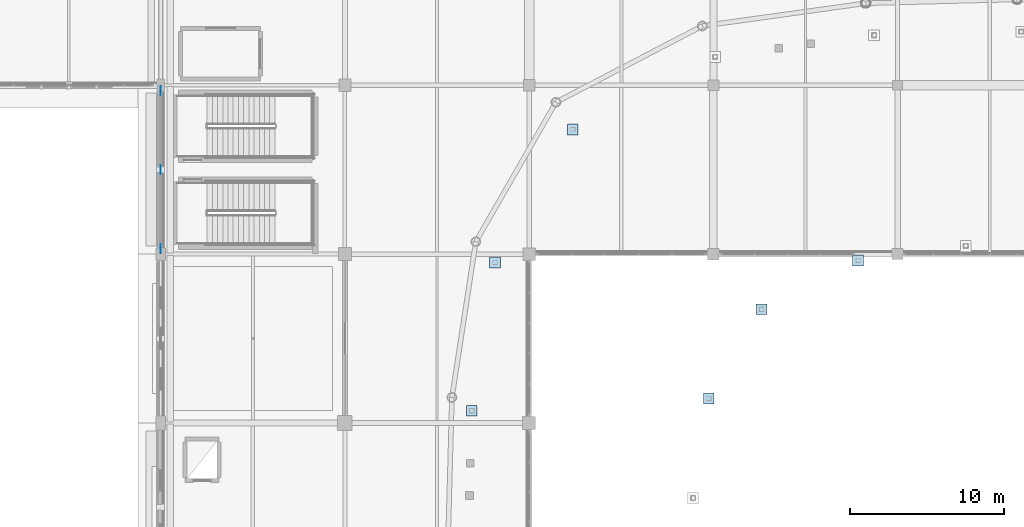
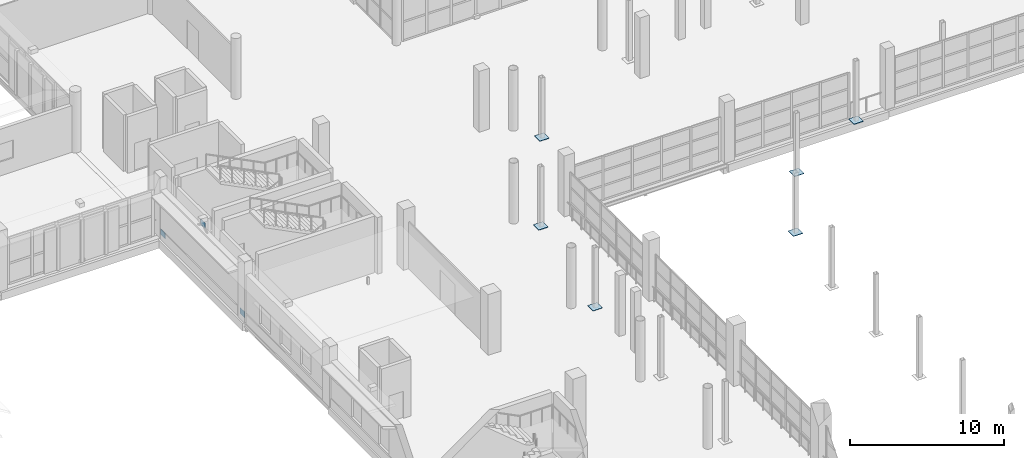
# One storey, part 86 of 143: 9 plates.
"""IFC4 building model written with IfcOpenShell, lengths in metres."""

import ifcopenshell
import ifcopenshell.guid

model = None  # the IFC model being written
_history = None  # IfcOwnerHistory: only IFC2X3 demands one
_inside = {}  # id of a spatial element -> (the spatial element, [elements in it])
_under = {}  # id of a project, library or spatial element -> (it, [spatial elements below it])
_declared = {}  # id of a project -> (the project, [libraries it declares])
_typed = {}  # id of a type object -> (the type object, [elements of that type])
_made_of = {}  # id of a material, layer set ... -> (it, [elements and type objects made of it])


def new_model(schema):
    """Start an empty IFC model of exactly this schema.

    Asked for "IFC4X3", IfcOpenShell would pick the latest addendum, in which some entities
    have other attributes; the version numbers below select the first issue.
    IFC2X3 requires an IfcOwnerHistory on every rooted entity: one is made here for all.
    """
    global model, _history
    if schema == "IFC4X3":
        model = ifcopenshell.file(schema_version=(4, 3, 0, 0))
    else:
        model = ifcopenshell.file(schema=schema)
    _inside.clear()
    _under.clear()
    _declared.clear()
    _typed.clear()
    _made_of.clear()
    _history = None
    if model.schema == "IFC2X3":
        org = make("IfcOrganization", Name="unknown")
        user = make(
            "IfcPersonAndOrganization",
            ThePerson=make("IfcPerson", FamilyName="unknown"),
            TheOrganization=org,
        )
        app = make(
            "IfcApplication",
            ApplicationDeveloper=org,
            Version="unknown",
            ApplicationFullName="unknown",
            ApplicationIdentifier="unknown",
        )
        _history = make(
            "IfcOwnerHistory",
            OwningUser=user,
            OwningApplication=app,
            ChangeAction="ADDED",
            CreationDate=0,
        )
    return model


def make(cls, **values):
    """One entity of the class cls with the attributes given. An attribute that is None is left unset."""
    return model.create_entity(
        cls, **{name: value for name, value in values.items() if value is not None}
    )


def rooted(cls, **values):
    """An entity with a GlobalId (a new one), such as an element, a storey or a relation."""
    return make(cls, GlobalId=ifcopenshell.guid.new(), OwnerHistory=_history, **values)


def si_unit(unit_type, name, prefix=None):
    """IfcSIUnit, for example si_unit("LENGTHUNIT", "METRE", prefix="MILLI")."""
    return make("IfcSIUnit", UnitType=unit_type, Prefix=prefix, Name=name)


def assignment(units):
    """IfcUnitAssignment: the units of a project."""
    return None if units is None else make("IfcUnitAssignment", Units=units)


def point(xyz):
    """IfcCartesianPoint."""
    return None if xyz is None else make("IfcCartesianPoint", Coordinates=xyz)


def direction(xyz):
    """IfcDirection."""
    return None if xyz is None else make("IfcDirection", DirectionRatios=xyz)


def frame(location, z_axis=None, x_axis=None):
    """IfcAxis2Placement3D, a coordinate frame: its origin and axes. An axis left out is left unset."""
    return make(
        "IfcAxis2Placement3D",
        Location=point(location),
        Axis=direction(z_axis),
        RefDirection=direction(x_axis),
    )


def frame_2d(location, x_axis=None):
    """IfcAxis2Placement2D, a coordinate frame in the plane: its origin and x axis."""
    return make(
        "IfcAxis2Placement2D", Location=point(location), RefDirection=direction(x_axis)
    )


def origin():
    """The frame at (0, 0, 0) with its axes left unset."""
    return frame((0.0, 0.0, 0.0))


def origin_2d():
    """The frame at (0, 0) in the plane with its x axis left unset."""
    return frame_2d((0.0, 0.0))


def place(relative_to, where):
    """IfcLocalPlacement: puts the frame where relative to a parent placement (None: the world)."""
    return make(
        "IfcLocalPlacement", PlacementRelTo=relative_to, RelativePlacement=where
    )


def context(
    kind, dimensions, precision=None, world=None, true_north=None, identifier=None
):
    """IfcGeometricRepresentationContext, for example the 3D "Model" context."""
    return make(
        "IfcGeometricRepresentationContext",
        ContextIdentifier=identifier,
        ContextType=kind,
        CoordinateSpaceDimension=dimensions,
        Precision=precision,
        WorldCoordinateSystem=world,
        TrueNorth=true_north,
    )


def subcontext(parent, identifier, kind, view, scale=None):
    """IfcGeometricRepresentationSubContext, for example "Body" below "Model"."""
    return make(
        "IfcGeometricRepresentationSubContext",
        ContextIdentifier=identifier,
        ContextType=kind,
        ParentContext=parent,
        TargetScale=scale,
        TargetView=view,
    )


def project(units=None, contexts=None):
    """IfcProject with its units and contexts."""
    return rooted(
        "IfcProject",
        Name="project",
        RepresentationContexts=contexts,
        UnitsInContext=assignment(units),
    )


def spatial(cls, under=None, at=None, **own):
    """A site, building, storey or space (cls), placed at a placement, below another one or the project."""
    s = rooted(cls, ObjectPlacement=at, **own)
    if under is not None:
        _under.setdefault(under.id(), (under, []))[1].append(s)
    return s


def profile(cls, at=None, kind="AREA", **sizes):
    """A parametric profile (cls). Its sizes go by their IFC names, for example OverallWidth=200.0."""
    return make(cls, ProfileType=kind, Position=at, **sizes)


def rectangle(**sizes):
    """IfcRectangleProfileDef."""
    return profile("IfcRectangleProfileDef", **sizes)


def extrude(swept, where, along, depth):
    """IfcExtrudedAreaSolid: the profile swept, set in the frame where, extruded along a direction by depth."""
    return make(
        "IfcExtrudedAreaSolid",
        SweptArea=swept,
        Position=where,
        ExtrudedDirection=direction(along),
        Depth=depth,
    )


def shape(context_of_items, identifier, shape_type, items):
    """IfcShapeRepresentation: the items that make up one representation, for example the "Body"."""
    return make(
        "IfcShapeRepresentation",
        ContextOfItems=context_of_items,
        RepresentationIdentifier=identifier,
        RepresentationType=shape_type,
        Items=items,
    )


def material(Name=None, Category=None):
    """IfcMaterial."""
    return make("IfcMaterial", Name=Name, Category=Category)


def layer(
    of_material, thickness, ventilated=None, Name=None, Category=None, Priority=None
):
    """IfcMaterialLayer: one layer of a wall or slab, of a material (None: an air gap)."""
    return make(
        "IfcMaterialLayer",
        Material=of_material,
        LayerThickness=thickness,
        IsVentilated=ventilated,
        Name=Name,
        Category=Category,
        Priority=Priority,
    )


def layer_set(layers, Name=None):
    """IfcMaterialLayerSet."""
    return make("IfcMaterialLayerSet", MaterialLayers=layers, LayerSetName=Name)


def made_of(thing, what):
    """Note that an element or type object is made of a material, layer set ...; save() writes the relation."""
    if what is not None:
        _made_of.setdefault(what.id(), (what, []))[1].append(thing)
    return thing


def type_object(cls, material=None, **own):
    """A type object (cls), such as IfcWallType, which elements share."""
    return made_of(rooted(cls, **own), material)


def element(
    cls,
    number,
    at=None,
    inside=None,
    cuts=None,
    type_object=None,
    material=None,
    context=None,
    identifier="Body",
    shape_type=None,
    held_by="IfcProductDefinitionShape",
    body=None,
    shapes=None,
    **own,
):
    """One element of the class cls, such as IfcWall. Its Tag is "e" and its number.

    at: its placement. inside: the storey or other place that contains it. cuts: it is an
    opening in that element (IfcRelVoidsElement). A single representation is given by context,
    identifier, shape_type and body (its items); several are given by shapes. held_by: the class
    of the entity that holds the representations. save() writes the other relations.
    """
    e = rooted(cls, Tag="e%d" % number, ObjectPlacement=at, **own)
    if body is not None:
        shapes = [shape(context, identifier, shape_type, body)]
    if shapes is not None:
        e.Representation = make(held_by, Representations=shapes)
    if inside is not None:
        _inside.setdefault(inside.id(), (inside, []))[1].append(e)
    if cuts is not None:
        rooted(
            "IfcRelVoidsElement", RelatingBuildingElement=cuts, RelatedOpeningElement=e
        )
    if type_object is not None:
        _typed.setdefault(type_object.id(), (type_object, []))[1].append(e)
    return made_of(e, material)


def aggregate(whole, parts):
    """IfcRelAggregates: a whole, such as a stair, and the parts it consists of."""
    return rooted("IfcRelAggregates", RelatingObject=whole, RelatedObjects=parts)


def save(model, path):
    """Write the relations noted so far, then the file.

    IfcRelAggregates (storeys below a building ...), IfcRelContainedInSpatialStructure (elements
    in a storey), IfcRelDefinesByType, IfcRelAssociatesMaterial and IfcRelDeclares: one each for
    every whole, place, type object, material and project.
    """
    for whole, parts in _under.values():
        aggregate(whole, parts)
    for where, things in _inside.values():
        rooted(
            "IfcRelContainedInSpatialStructure",
            RelatedElements=things,
            RelatingStructure=where,
        )
    for kind, things in _typed.values():
        rooted("IfcRelDefinesByType", RelatedObjects=things, RelatingType=kind)
    for what, things in _made_of.values():
        rooted("IfcRelAssociatesMaterial", RelatedObjects=things, RelatingMaterial=what)
    for by, libraries in _declared.values():
        rooted("IfcRelDeclares", RelatingContext=by, RelatedDefinitions=libraries)
    model.write(path)


model = new_model("IFC4")

# Units and contexts
model_context = context("Model", 3, precision=1e-05, world=origin(), true_north=direction((0.0, 1.0)))
body_context = subcontext(model_context, "Body", "Model", "MODEL_VIEW")
ifc_project = project(units=[si_unit("LENGTHUNIT", "METRE"), si_unit("AREAUNIT", "SQUARE_METRE"), si_unit("VOLUMEUNIT", "CUBIC_METRE"), si_unit("PLANEANGLEUNIT", "RADIAN"), si_unit("MASSUNIT", "GRAM", prefix="KILO")], contexts=[model_context])

# Site, building, storey
site_placement = place(None, origin())
site = spatial("IfcSite", under=ifc_project, at=site_placement, CompositionType="ELEMENT")
building_placement = place(site_placement, origin())
building = spatial("IfcBuilding", under=site, at=building_placement, Name="Luwafu Chhajja Arena", CompositionType="ELEMENT")
storey_placement = place(building_placement, frame((0.0, 0.0, 5.39990234375)))
storey = spatial("IfcBuildingStorey", under=building, at=storey_placement, Name="L01", CompositionType="ELEMENT", Elevation=5.39990234375)

# Plates
ifc_material = material(Name="Steel S355", Category="steel")
ifc_layer_1 = layer(ifc_material, 0.031982421875, Name="Steel S355")
ifc_layer_set_1 = layer_set([ifc_layer_1], Name="Steel S355")
plate_type_1 = type_object("IfcPlateType", Name="Atrium Column Base Plate BP-2", PredefinedType="USERDEFINED", material=ifc_layer_set_1)
for number, where, z_axis, x_axis, name in (
    (1, (79.42333984375, 76.589111328125, 0.0), (0.0, 0.0, 1.0), (1.0, 0.0, 0.0), "Raker Post Base Plate BP-2 UI12"),
    (2, (73.14013671875, 73.409912109375, 0.0), (0.0, 0.0, 1.0), (1.0, 0.0, 0.0), "Raker Post Base Plate BP-2 UI13"),
    (3, (69.701416015625, 67.600341796875, 0.0), (0.0, 0.0, 1.0), (1.0, 0.0, 0.0), "Raker Post Base Plate BP-2 UI14"),
    (4, (60.84619140625, 85.1103515625, 0.0), (0.0, 0.0, 1.0), (1.0, 0.0, 0.0), "Raker Post Base Plate BP-2 UO13"),
    (5, (55.772705078125, 76.4580078125, 0.0), (0.0, 0.0, 1.0), (1.0, 0.0, 0.0), "Raker Post Base Plate BP-2 UO14"),
    (6, (54.260498046875, 66.79638671875, 0.0), (0.0, 0.0, 1.0), (1.0, 0.0, 0.0), "Raker Post Base Plate BP-2 UO15"),
):
    element("IfcPlate", number, at=place(storey_placement, frame(where, z_axis=z_axis, x_axis=x_axis)), inside=storey, type_object=plate_type_1, Name=name, ObjectType="BASE PLATE", PredefinedType="USERDEFINED", context=body_context, shape_type="SweptSolid", body=[
        extrude(rectangle(XDim=0.699951171875, YDim=0.699951171875, at=origin_2d()), origin(), (0.0, 0.0, 1.0), 0.031982421875),
    ])
ifc_layer_2 = layer(ifc_material, 0.02197265625, Name="Steel S355")
ifc_layer_set_2 = layer_set([ifc_layer_2], Name="Steel S355")
plate_type_2 = type_object("IfcPlateType", Name="Lateral Brace Gusset Plate BN-1", PredefinedType="USERDEFINED", material=ifc_layer_set_2)
for number, where, z_axis, x_axis, name in (
    (7, (34.0, 82.5, 3.93505859375), (0.0, 0.0, 1.0), (1.0, 0.0, 0.0), "L01 Chevron Apex Gusset Plate BN-1 13"),
    (8, (34.0, 77.35009765625, 0.02490234375), (0.0, 0.0, 1.0), (1.0, 0.0, 0.0), "L01 Brace Base Gusset BN-1 13A"),
    (9, (34.0, 87.64990234375, 0.02490234375), (0.0, 0.0, 1.0), (1.0, 0.0, 0.0), "L01 Brace Base Gusset BN-1 13B"),
):
    element("IfcPlate", number, at=place(storey_placement, frame(where, z_axis=z_axis, x_axis=x_axis)), inside=storey, type_object=plate_type_2, Name=name, ObjectType="GUSSET PLATE", PredefinedType="USERDEFINED", context=body_context, shape_type="SweptSolid", body=[
        extrude(rectangle(XDim=0.02197265625, YDim=0.60009765625, at=origin_2d()), origin(), (0.0, 0.0, 1.0), 0.449951171875),
    ])

save(model, "model.ifc")
